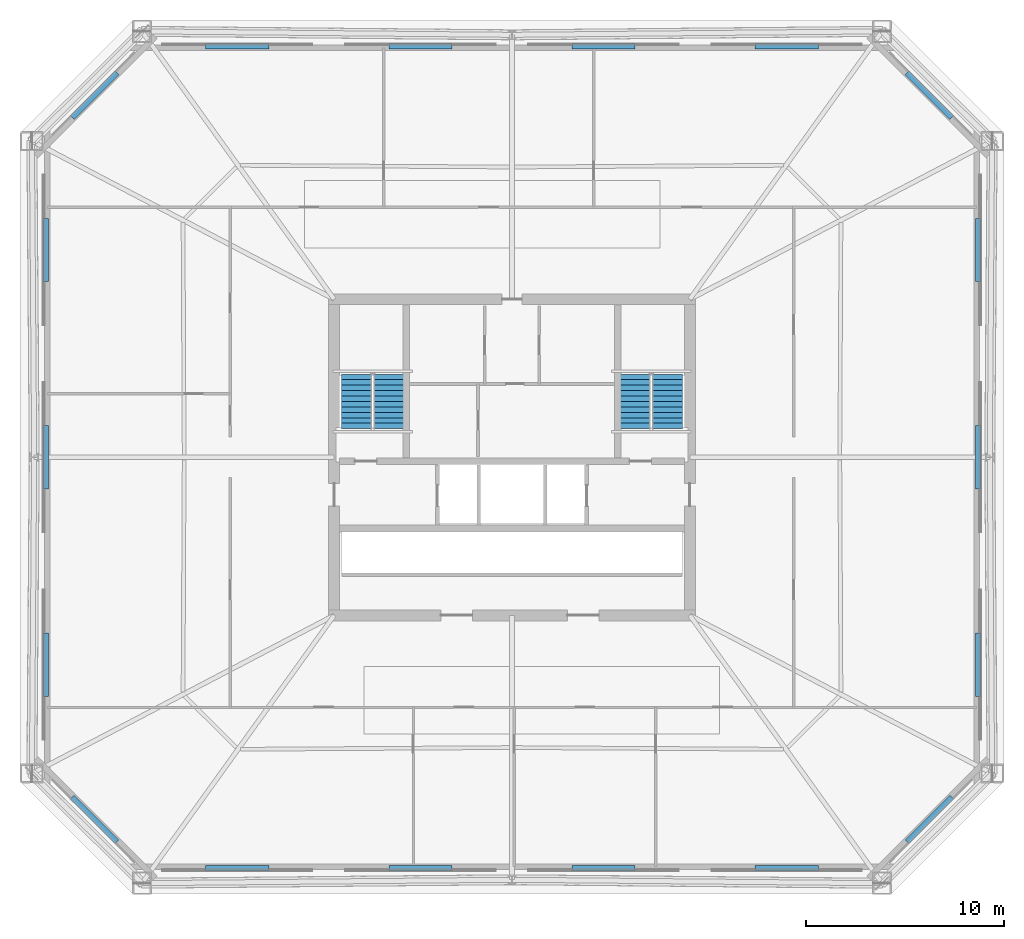
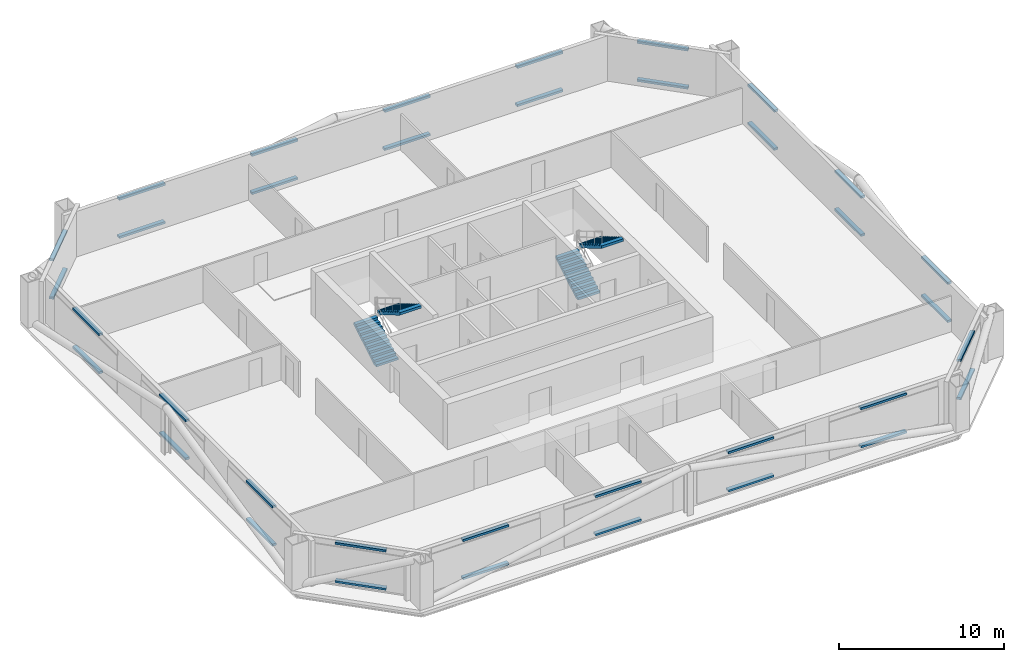
# One storey, part 4 of 6: 36 discrete accessories, 4 stair flights, 2 elements without a shape of their own.
"""IFC4 building model written with IfcOpenShell, lengths in metres."""

import ifcopenshell
import ifcopenshell.guid

model = None  # the IFC model being written
_history = None  # IfcOwnerHistory: only IFC2X3 demands one
_inside = {}  # id of a spatial element -> (the spatial element, [elements in it])
_under = {}  # id of a project, library or spatial element -> (it, [spatial elements below it])
_declared = {}  # id of a project -> (the project, [libraries it declares])
_typed = {}  # id of a type object -> (the type object, [elements of that type])
_made_of = {}  # id of a material, layer set ... -> (it, [elements and type objects made of it])


def new_model(schema):
    """Start an empty IFC model of exactly this schema.

    Asked for "IFC4X3", IfcOpenShell would pick the latest addendum, in which some entities
    have other attributes; the version numbers below select the first issue.
    IFC2X3 requires an IfcOwnerHistory on every rooted entity: one is made here for all.
    """
    global model, _history
    if schema == "IFC4X3":
        model = ifcopenshell.file(schema_version=(4, 3, 0, 0))
    else:
        model = ifcopenshell.file(schema=schema)
    _inside.clear()
    _under.clear()
    _declared.clear()
    _typed.clear()
    _made_of.clear()
    _history = None
    if model.schema == "IFC2X3":
        org = make("IfcOrganization", Name="unknown")
        user = make(
            "IfcPersonAndOrganization",
            ThePerson=make("IfcPerson", FamilyName="unknown"),
            TheOrganization=org,
        )
        app = make(
            "IfcApplication",
            ApplicationDeveloper=org,
            Version="unknown",
            ApplicationFullName="unknown",
            ApplicationIdentifier="unknown",
        )
        _history = make(
            "IfcOwnerHistory",
            OwningUser=user,
            OwningApplication=app,
            ChangeAction="ADDED",
            CreationDate=0,
        )
    return model


def make(cls, **values):
    """One entity of the class cls with the attributes given. An attribute that is None is left unset."""
    return model.create_entity(
        cls, **{name: value for name, value in values.items() if value is not None}
    )


def rooted(cls, **values):
    """An entity with a GlobalId (a new one), such as an element, a storey or a relation."""
    return make(cls, GlobalId=ifcopenshell.guid.new(), OwnerHistory=_history, **values)


def si_unit(unit_type, name, prefix=None):
    """IfcSIUnit, for example si_unit("LENGTHUNIT", "METRE", prefix="MILLI")."""
    return make("IfcSIUnit", UnitType=unit_type, Prefix=prefix, Name=name)


def assignment(units):
    """IfcUnitAssignment: the units of a project."""
    return None if units is None else make("IfcUnitAssignment", Units=units)


def point(xyz):
    """IfcCartesianPoint."""
    return None if xyz is None else make("IfcCartesianPoint", Coordinates=xyz)


def direction(xyz):
    """IfcDirection."""
    return None if xyz is None else make("IfcDirection", DirectionRatios=xyz)


def frame(location, z_axis=None, x_axis=None):
    """IfcAxis2Placement3D, a coordinate frame: its origin and axes. An axis left out is left unset."""
    return make(
        "IfcAxis2Placement3D",
        Location=point(location),
        Axis=direction(z_axis),
        RefDirection=direction(x_axis),
    )


def frame_2d(location, x_axis=None):
    """IfcAxis2Placement2D, a coordinate frame in the plane: its origin and x axis."""
    return make(
        "IfcAxis2Placement2D", Location=point(location), RefDirection=direction(x_axis)
    )


def origin():
    """The frame at (0, 0, 0) with its axes left unset."""
    return frame((0.0, 0.0, 0.0))


def origin_2d():
    """The frame at (0, 0) in the plane with its x axis left unset."""
    return frame_2d((0.0, 0.0))


def place(relative_to, where):
    """IfcLocalPlacement: puts the frame where relative to a parent placement (None: the world)."""
    return make(
        "IfcLocalPlacement", PlacementRelTo=relative_to, RelativePlacement=where
    )


def context(
    kind, dimensions, precision=None, world=None, true_north=None, identifier=None
):
    """IfcGeometricRepresentationContext, for example the 3D "Model" context."""
    return make(
        "IfcGeometricRepresentationContext",
        ContextIdentifier=identifier,
        ContextType=kind,
        CoordinateSpaceDimension=dimensions,
        Precision=precision,
        WorldCoordinateSystem=world,
        TrueNorth=true_north,
    )


def subcontext(parent, identifier, kind, view, scale=None):
    """IfcGeometricRepresentationSubContext, for example "Body" below "Model"."""
    return make(
        "IfcGeometricRepresentationSubContext",
        ContextIdentifier=identifier,
        ContextType=kind,
        ParentContext=parent,
        TargetScale=scale,
        TargetView=view,
    )


def project(units=None, contexts=None):
    """IfcProject with its units and contexts."""
    return rooted(
        "IfcProject",
        Name="project",
        RepresentationContexts=contexts,
        UnitsInContext=assignment(units),
    )


def spatial(cls, under=None, at=None, **own):
    """A site, building, storey or space (cls), placed at a placement, below another one or the project."""
    s = rooted(cls, ObjectPlacement=at, **own)
    if under is not None:
        _under.setdefault(under.id(), (under, []))[1].append(s)
    return s


def polyline(points):
    """IfcPolyline through the points."""
    return make("IfcPolyline", Points=[point(p) for p in points])


def profile(cls, at=None, kind="AREA", **sizes):
    """A parametric profile (cls). Its sizes go by their IFC names, for example OverallWidth=200.0."""
    return make(cls, ProfileType=kind, Position=at, **sizes)


def rectangle(**sizes):
    """IfcRectangleProfileDef."""
    return profile("IfcRectangleProfileDef", **sizes)


def outline(outer, holes=None, kind="AREA"):
    """IfcArbitraryClosedProfileDef: a profile drawn as a closed curve; with holes, ...WithVoids."""
    if holes is None:
        return make("IfcArbitraryClosedProfileDef", ProfileType=kind, OuterCurve=outer)
    return make(
        "IfcArbitraryProfileDefWithVoids",
        ProfileType=kind,
        OuterCurve=outer,
        InnerCurves=holes,
    )


def extrude(swept, where, along, depth):
    """IfcExtrudedAreaSolid: the profile swept, set in the frame where, extruded along a direction by depth."""
    return make(
        "IfcExtrudedAreaSolid",
        SweptArea=swept,
        Position=where,
        ExtrudedDirection=direction(along),
        Depth=depth,
    )


def shape(context_of_items, identifier, shape_type, items):
    """IfcShapeRepresentation: the items that make up one representation, for example the "Body"."""
    return make(
        "IfcShapeRepresentation",
        ContextOfItems=context_of_items,
        RepresentationIdentifier=identifier,
        RepresentationType=shape_type,
        Items=items,
    )


def material(Name=None, Category=None):
    """IfcMaterial."""
    return make("IfcMaterial", Name=Name, Category=Category)


def made_of(thing, what):
    """Note that an element or type object is made of a material, layer set ...; save() writes the relation."""
    if what is not None:
        _made_of.setdefault(what.id(), (what, []))[1].append(thing)
    return thing


def type_object(cls, material=None, **own):
    """A type object (cls), such as IfcWallType, which elements share."""
    return made_of(rooted(cls, **own), material)


def element(
    cls,
    number,
    at=None,
    inside=None,
    cuts=None,
    type_object=None,
    material=None,
    context=None,
    identifier="Body",
    shape_type=None,
    held_by="IfcProductDefinitionShape",
    body=None,
    shapes=None,
    **own,
):
    """One element of the class cls, such as IfcWall. Its Tag is "e" and its number.

    at: its placement. inside: the storey or other place that contains it. cuts: it is an
    opening in that element (IfcRelVoidsElement). A single representation is given by context,
    identifier, shape_type and body (its items); several are given by shapes. held_by: the class
    of the entity that holds the representations. save() writes the other relations.
    """
    e = rooted(cls, Tag="e%d" % number, ObjectPlacement=at, **own)
    if body is not None:
        shapes = [shape(context, identifier, shape_type, body)]
    if shapes is not None:
        e.Representation = make(held_by, Representations=shapes)
    if inside is not None:
        _inside.setdefault(inside.id(), (inside, []))[1].append(e)
    if cuts is not None:
        rooted(
            "IfcRelVoidsElement", RelatingBuildingElement=cuts, RelatedOpeningElement=e
        )
    if type_object is not None:
        _typed.setdefault(type_object.id(), (type_object, []))[1].append(e)
    return made_of(e, material)


def aggregate(whole, parts):
    """IfcRelAggregates: a whole, such as a stair, and the parts it consists of."""
    return rooted("IfcRelAggregates", RelatingObject=whole, RelatedObjects=parts)


def save(model, path):
    """Write the relations noted so far, then the file.

    IfcRelAggregates (storeys below a building ...), IfcRelContainedInSpatialStructure (elements
    in a storey), IfcRelDefinesByType, IfcRelAssociatesMaterial and IfcRelDeclares: one each for
    every whole, place, type object, material and project.
    """
    for whole, parts in _under.values():
        aggregate(whole, parts)
    for where, things in _inside.values():
        rooted(
            "IfcRelContainedInSpatialStructure",
            RelatedElements=things,
            RelatingStructure=where,
        )
    for kind, things in _typed.values():
        rooted("IfcRelDefinesByType", RelatedObjects=things, RelatingType=kind)
    for what, things in _made_of.values():
        rooted("IfcRelAssociatesMaterial", RelatedObjects=things, RelatingMaterial=what)
    for by, libraries in _declared.values():
        rooted("IfcRelDeclares", RelatingContext=by, RelatedDefinitions=libraries)
    model.write(path)


model = new_model("IFC4")

# Units and contexts
model_context = context("Model", 3, precision=1e-05, world=origin(), true_north=direction((0.0, 1.0)))
body_context = subcontext(model_context, "Body", "Model", "MODEL_VIEW")
ifc_project = project(units=[si_unit("LENGTHUNIT", "METRE"), si_unit("AREAUNIT", "SQUARE_METRE"), si_unit("VOLUMEUNIT", "CUBIC_METRE"), si_unit("PLANEANGLEUNIT", "RADIAN"), si_unit("MASSUNIT", "GRAM", prefix="KILO")], contexts=[model_context])

# Site, building, storey
site_placement = place(None, origin())
site = spatial("IfcSite", under=ifc_project, at=site_placement, CompositionType="ELEMENT")
building_placement = place(site_placement, origin())
building = spatial("IfcBuilding", under=site, at=building_placement, Name="Caelvoria Tower", CompositionType="ELEMENT")
storey_placement = place(building_placement, frame((0.0, 0.0, 95.199951171875)))
storey = spatial("IfcBuildingStorey", under=building, at=storey_placement, Name="L24", CompositionType="ELEMENT", Elevation=95.199951171875)

# Stair, stair flights
ifc_material_1 = material(Name="Concrete C40/50", Category="concrete")
stair_type = type_object("IfcStairType", Name="Core Smokeproof Dogleg Stair Concrete C40/50", PredefinedType="HALF_TURN_STAIR", material=ifc_material_1)
stair_1_placement = place(storey_placement, origin())
stair_1 = element("IfcStair", 1, at=stair_1_placement, inside=storey, type_object=stair_type, Name="ST-01 Smokeproof Exit Stair L24", PredefinedType="HALF_TURN_STAIR")
ifc_material_2 = material(Name="Precast Concrete C40/50", Category="concrete")
stair_flight_type = type_object("IfcStairFlightType", Name="Precast Concrete C40/50 Stair Flight 1480", PredefinedType="STRAIGHT", material=ifc_material_2)
stair_flight_1_placement = place(storey_placement, frame((38.1298828125, 33.449951171875, 0.0), z_axis=(0.0, 0.0, 1.0), x_axis=(0.0, 1.0, 0.0)))
stair_flight_1 = element("IfcStairFlight", 2, at=stair_flight_1_placement, type_object=stair_flight_type, Name="ST-01 flight 1", NumberOfRisers=11, NumberOfTreads=10, PredefinedType="STRAIGHT", RiserHeight=0.1636, TreadLength=0.275, context=body_context, shape_type="SweptSolid", body=[
    extrude(outline(polyline([(0.0, 0.0), (0.0, 0.16357421875), (0.27490234375, 0.16357421875), (0.27490234375, 0.3271484375), (0.550048828125, 0.3271484375), (0.550048828125, 0.49072265625), (0.824951171875, 0.49072265625), (0.824951171875, 0.654296875), (1.10009765625, 0.654296875), (1.10009765625, 0.818115234375), (1.375, 0.818115234375), (1.375, 0.981689453125), (1.64990234375, 0.981689453125), (1.64990234375, 1.145263671875), (1.925048828125, 1.145263671875), (1.925048828125, 1.308837890625), (2.199951171875, 1.308837890625), (2.199951171875, 1.472412109375), (2.47509765625, 1.472412109375), (2.47509765625, 1.635986328125), (2.75, 1.635986328125), (2.75, 1.799560546875), (2.75, 1.449951171875), (0.312744140625, 0.0), (0.0, 0.0)])), frame((0.0, 0.77001953125, 0.0), z_axis=(0.0, -1.0, 0.0), x_axis=(1.0, 0.0, 0.0)), (0.0, 0.0, 1.0), 1.5400390625),
])
stair_flight_2_placement = place(storey_placement, frame((39.77001953125, 36.199951171875, 1.800048828125), z_axis=(0.0, 0.0, 1.0), x_axis=(0.0, -1.0, 0.0)))
stair_flight_2 = element("IfcStairFlight", 3, at=stair_flight_2_placement, type_object=stair_flight_type, Name="ST-01 flight 2", NumberOfRisers=11, NumberOfTreads=10, PredefinedType="STRAIGHT", RiserHeight=0.1636, TreadLength=0.275, context=body_context, shape_type="SweptSolid", body=[
    extrude(outline(polyline([(0.0, 0.0), (0.0, 0.16357421875), (0.27490234375, 0.16357421875), (0.27490234375, 0.3271484375), (0.550048828125, 0.3271484375), (0.550048828125, 0.49072265625), (0.824951171875, 0.49072265625), (0.824951171875, 0.654296875), (1.10009765625, 0.654296875), (1.10009765625, 0.818115234375), (1.375, 0.818115234375), (1.375, 0.981689453125), (1.64990234375, 0.981689453125), (1.64990234375, 1.145263671875), (1.925048828125, 1.145263671875), (1.925048828125, 1.308837890625), (2.199951171875, 1.308837890625), (2.199951171875, 1.472412109375), (2.47509765625, 1.472412109375), (2.47509765625, 1.635986328125), (2.75, 1.635986328125), (2.75, 1.799560546875), (2.75, 1.449951171875), (0.312744140625, 0.0), (0.0, 0.0)])), frame((0.0, 0.77001953125, 0.0), z_axis=(0.0, -1.0, 0.0), x_axis=(1.0, 0.0, 0.0)), (0.0, 0.0, 1.0), 1.5400390625),
])
aggregate(stair_1, [stair_flight_1, stair_flight_2])

stair_2_placement = place(storey_placement, origin())
stair_2 = element("IfcStair", 4, at=stair_2_placement, inside=storey, type_object=stair_type, Name="ST-02 Smokeproof Exit Stair L24", PredefinedType="HALF_TURN_STAIR")
stair_flight_3_placement = place(storey_placement, frame((52.22998046875, 33.449951171875, 0.0), z_axis=(0.0, 0.0, 1.0), x_axis=(0.0, 1.0, 0.0)))
stair_flight_3 = element("IfcStairFlight", 5, at=stair_flight_3_placement, type_object=stair_flight_type, Name="ST-02 flight 1", NumberOfRisers=11, NumberOfTreads=10, PredefinedType="STRAIGHT", RiserHeight=0.1636, TreadLength=0.275, context=body_context, shape_type="SweptSolid", body=[
    extrude(outline(polyline([(0.0, 0.0), (0.0, 0.16357421875), (0.27490234375, 0.16357421875), (0.27490234375, 0.3271484375), (0.550048828125, 0.3271484375), (0.550048828125, 0.49072265625), (0.824951171875, 0.49072265625), (0.824951171875, 0.654296875), (1.10009765625, 0.654296875), (1.10009765625, 0.818115234375), (1.375, 0.818115234375), (1.375, 0.981689453125), (1.64990234375, 0.981689453125), (1.64990234375, 1.145263671875), (1.925048828125, 1.145263671875), (1.925048828125, 1.308837890625), (2.199951171875, 1.308837890625), (2.199951171875, 1.472412109375), (2.47509765625, 1.472412109375), (2.47509765625, 1.635986328125), (2.75, 1.635986328125), (2.75, 1.799560546875), (2.75, 1.449951171875), (0.312744140625, 0.0), (0.0, 0.0)])), frame((0.0, 0.77001953125, 0.0), z_axis=(0.0, -1.0, 0.0), x_axis=(1.0, 0.0, 0.0)), (0.0, 0.0, 1.0), 1.5400390625),
])
stair_flight_4_placement = place(storey_placement, frame((53.8701171875, 36.199951171875, 1.800048828125), z_axis=(0.0, 0.0, 1.0), x_axis=(0.0, -1.0, 0.0)))
stair_flight_4 = element("IfcStairFlight", 6, at=stair_flight_4_placement, type_object=stair_flight_type, Name="ST-02 flight 2", NumberOfRisers=11, NumberOfTreads=10, PredefinedType="STRAIGHT", RiserHeight=0.1636, TreadLength=0.275, context=body_context, shape_type="SweptSolid", body=[
    extrude(outline(polyline([(0.0, 0.0), (0.0, 0.16357421875), (0.27490234375, 0.16357421875), (0.27490234375, 0.3271484375), (0.550048828125, 0.3271484375), (0.550048828125, 0.49072265625), (0.824951171875, 0.49072265625), (0.824951171875, 0.654296875), (1.10009765625, 0.654296875), (1.10009765625, 0.818115234375), (1.375, 0.818115234375), (1.375, 0.981689453125), (1.64990234375, 0.981689453125), (1.64990234375, 1.145263671875), (1.925048828125, 1.145263671875), (1.925048828125, 1.308837890625), (2.199951171875, 1.308837890625), (2.199951171875, 1.472412109375), (2.47509765625, 1.472412109375), (2.47509765625, 1.635986328125), (2.75, 1.635986328125), (2.75, 1.799560546875), (2.75, 1.449951171875), (0.312744140625, 0.0), (0.0, 0.0)])), frame((0.0, 0.77001953125, 0.0), z_axis=(0.0, -1.0, 0.0), x_axis=(1.0, 0.0, 0.0)), (0.0, 0.0, 1.0), 1.5400390625),
])
aggregate(stair_2, [stair_flight_3, stair_flight_4])

# Discrete accessories
ifc_material_3 = material(Name="Anodised Bronze Stainless Bracket", Category="bronze")
discrete_accessory_type = type_object("IfcDiscreteAccessoryType", Name="Solar Screen Outrigger Support Bracket", PredefinedType="BRACKET", material=ifc_material_3)
for number, where, z_axis, x_axis, name in (
    (7, (32.094970703125, 11.202880859375, 0.240234375), (0.0, 0.0, 1.0), (1.0, 0.0, 0.0), "Solar Screen Bracket L24-E0-00"),
    (8, (32.094970703125, 11.202880859375, 3.06005859375), (0.0, 0.0, 1.0), (1.0, 0.0, 0.0), "Upper Screen Band Bracket L24-E0-00"),
    (9, (41.364990234375, 11.202880859375, 0.240234375), (0.0, 0.0, 1.0), (1.0, 0.0, 0.0), "Solar Screen Bracket L24-E0-01"),
    (10, (41.364990234375, 11.202880859375, 3.06005859375), (0.0, 0.0, 1.0), (1.0, 0.0, 0.0), "Upper Screen Band Bracket L24-E0-01"),
    (11, (50.635009765625, 11.202880859375, 0.240234375), (0.0, 0.0, 1.0), (1.0, 0.0, 0.0), "Solar Screen Bracket L24-E0-02"),
    (12, (50.635009765625, 11.202880859375, 3.06005859375), (0.0, 0.0, 1.0), (1.0, 0.0, 0.0), "Upper Screen Band Bracket L24-E0-02"),
    (13, (59.905029296875, 11.202880859375, 0.240234375), (0.0, 0.0, 1.0), (1.0, 0.0, 0.0), "Solar Screen Bracket L24-E0-03"),
    (14, (59.905029296875, 11.202880859375, 3.06005859375), (0.0, 0.0, 1.0), (1.0, 0.0, 0.0), "Upper Screen Band Bracket L24-E0-03"),
    (15, (67.128662109375, 13.67138671875, 0.240234375), (0.0, 0.0, 1.0), (0.707106781187, 0.707106781187, 0.0), "Solar Screen Bracket L24-E1-00"),
    (16, (67.128662109375, 13.67138671875, 3.06005859375), (0.0, 0.0, 1.0), (0.707106781187, 0.707106781187, 0.0), "Upper Screen Band Bracket L24-E1-00"),
    (17, (69.596923828125, 21.506591796875, 0.240234375), (0.0, 0.0, 1.0), (0.0, 1.0, 0.0), "Solar Screen Bracket L24-E2-00"),
    (18, (69.596923828125, 21.506591796875, 3.06005859375), (0.0, 0.0, 1.0), (0.0, 1.0, 0.0), "Upper Screen Band Bracket L24-E2-00"),
    (19, (69.596923828125, 32.0, 0.240234375), (0.0, 0.0, 1.0), (0.0, 1.0, 0.0), "Solar Screen Bracket L24-E2-01"),
    (20, (69.596923828125, 32.0, 3.06005859375), (0.0, 0.0, 1.0), (0.0, 1.0, 0.0), "Upper Screen Band Bracket L24-E2-01"),
    (21, (69.596923828125, 42.493408203125, 0.240234375), (0.0, 0.0, 1.0), (0.0, 1.0, 0.0), "Solar Screen Bracket L24-E2-02"),
    (22, (69.596923828125, 42.493408203125, 3.06005859375), (0.0, 0.0, 1.0), (0.0, 1.0, 0.0), "Upper Screen Band Bracket L24-E2-02"),
    (23, (67.128662109375, 50.32861328125, 0.240234375), (0.0, 0.0, 1.0), (-0.707106781187, 0.707106781187, 0.0), "Solar Screen Bracket L24-E3-00"),
    (24, (67.128662109375, 50.32861328125, 3.06005859375), (0.0, 0.0, 1.0), (-0.707106781187, 0.707106781187, 0.0), "Upper Screen Band Bracket L24-E3-00"),
    (25, (59.905029296875, 52.797119140625, 0.240234375), (0.0, 0.0, 1.0), (-1.0, 0.0, 0.0), "Solar Screen Bracket L24-E4-00"),
    (26, (59.905029296875, 52.797119140625, 3.06005859375), (0.0, 0.0, 1.0), (-1.0, 0.0, 0.0), "Upper Screen Band Bracket L24-E4-00"),
    (27, (50.635009765625, 52.797119140625, 0.240234375), (0.0, 0.0, 1.0), (-1.0, 0.0, 0.0), "Solar Screen Bracket L24-E4-01"),
    (28, (50.635009765625, 52.797119140625, 3.06005859375), (0.0, 0.0, 1.0), (-1.0, 0.0, 0.0), "Upper Screen Band Bracket L24-E4-01"),
    (29, (41.364990234375, 52.797119140625, 0.240234375), (0.0, 0.0, 1.0), (-1.0, 0.0, 0.0), "Solar Screen Bracket L24-E4-02"),
    (30, (41.364990234375, 52.797119140625, 3.06005859375), (0.0, 0.0, 1.0), (-1.0, 0.0, 0.0), "Upper Screen Band Bracket L24-E4-02"),
    (31, (32.094970703125, 52.797119140625, 0.240234375), (0.0, 0.0, 1.0), (-1.0, 0.0, 0.0), "Solar Screen Bracket L24-E4-03"),
    (32, (32.094970703125, 52.797119140625, 3.06005859375), (0.0, 0.0, 1.0), (-1.0, 0.0, 0.0), "Upper Screen Band Bracket L24-E4-03"),
    (33, (24.871337890625, 50.32861328125, 0.240234375), (0.0, 0.0, 1.0), (-0.707106781187, -0.707106781187, 0.0), "Solar Screen Bracket L24-E5-00"),
    (34, (24.871337890625, 50.32861328125, 3.06005859375), (0.0, 0.0, 1.0), (-0.707106781187, -0.707106781187, 0.0), "Upper Screen Band Bracket L24-E5-00"),
    (35, (22.403076171875, 42.493408203125, 0.240234375), (0.0, 0.0, 1.0), (0.0, -1.0, 0.0), "Solar Screen Bracket L24-E6-00"),
    (36, (22.403076171875, 42.493408203125, 3.06005859375), (0.0, 0.0, 1.0), (0.0, -1.0, 0.0), "Upper Screen Band Bracket L24-E6-00"),
    (37, (22.403076171875, 32.0, 0.240234375), (0.0, 0.0, 1.0), (0.0, -1.0, 0.0), "Solar Screen Bracket L24-E6-01"),
    (38, (22.403076171875, 32.0, 3.06005859375), (0.0, 0.0, 1.0), (0.0, -1.0, 0.0), "Upper Screen Band Bracket L24-E6-01"),
    (39, (22.403076171875, 21.506591796875, 0.240234375), (0.0, 0.0, 1.0), (0.0, -1.0, 0.0), "Solar Screen Bracket L24-E6-02"),
    (40, (22.403076171875, 21.506591796875, 3.06005859375), (0.0, 0.0, 1.0), (0.0, -1.0, 0.0), "Upper Screen Band Bracket L24-E6-02"),
    (41, (24.871337890625, 13.67138671875, 0.240234375), (0.0, 0.0, 1.0), (0.707106781187, -0.707106781187, 0.0), "Solar Screen Bracket L24-E7-00"),
    (42, (24.871337890625, 13.67138671875, 3.06005859375), (0.0, 0.0, 1.0), (0.707106781187, -0.707106781187, 0.0), "Upper Screen Band Bracket L24-E7-00"),
):
    element("IfcDiscreteAccessory", number, at=place(storey_placement, frame(where, z_axis=z_axis, x_axis=x_axis)), inside=storey, type_object=discrete_accessory_type, Name=name, PredefinedType="BRACKET", context=body_context, shape_type="SweptSolid", body=[
        extrude(rectangle(XDim=3.199951171875, YDim=0.280029296875, at=origin_2d()), origin(), (0.0, 0.0, 1.0), 0.159912109375),
    ])

save(model, "model.ifc")
